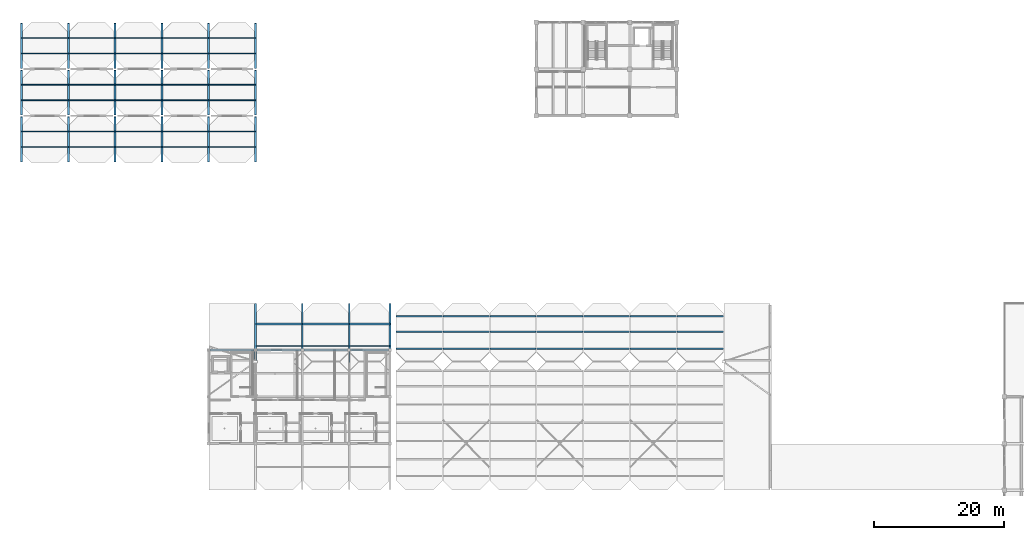
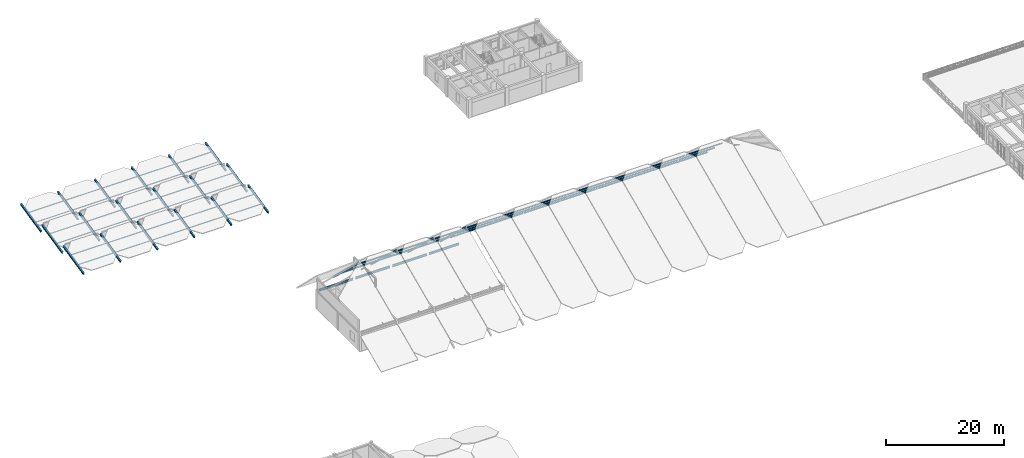
# One storey, part 6 of 54: 79 members, 4 beams.
"""IFC4 building model written with IfcOpenShell, lengths in metres."""

import ifcopenshell
import ifcopenshell.guid

model = None  # the IFC model being written
_history = None  # IfcOwnerHistory: only IFC2X3 demands one
_inside = {}  # id of a spatial element -> (the spatial element, [elements in it])
_under = {}  # id of a project, library or spatial element -> (it, [spatial elements below it])
_declared = {}  # id of a project -> (the project, [libraries it declares])
_typed = {}  # id of a type object -> (the type object, [elements of that type])
_made_of = {}  # id of a material, layer set ... -> (it, [elements and type objects made of it])


def new_model(schema):
    """Start an empty IFC model of exactly this schema.

    Asked for "IFC4X3", IfcOpenShell would pick the latest addendum, in which some entities
    have other attributes; the version numbers below select the first issue.
    IFC2X3 requires an IfcOwnerHistory on every rooted entity: one is made here for all.
    """
    global model, _history
    if schema == "IFC4X3":
        model = ifcopenshell.file(schema_version=(4, 3, 0, 0))
    else:
        model = ifcopenshell.file(schema=schema)
    _inside.clear()
    _under.clear()
    _declared.clear()
    _typed.clear()
    _made_of.clear()
    _history = None
    if model.schema == "IFC2X3":
        org = make("IfcOrganization", Name="unknown")
        user = make(
            "IfcPersonAndOrganization",
            ThePerson=make("IfcPerson", FamilyName="unknown"),
            TheOrganization=org,
        )
        app = make(
            "IfcApplication",
            ApplicationDeveloper=org,
            Version="unknown",
            ApplicationFullName="unknown",
            ApplicationIdentifier="unknown",
        )
        _history = make(
            "IfcOwnerHistory",
            OwningUser=user,
            OwningApplication=app,
            ChangeAction="ADDED",
            CreationDate=0,
        )
    return model


def make(cls, **values):
    """One entity of the class cls with the attributes given. An attribute that is None is left unset."""
    return model.create_entity(
        cls, **{name: value for name, value in values.items() if value is not None}
    )


def rooted(cls, **values):
    """An entity with a GlobalId (a new one), such as an element, a storey or a relation."""
    return make(cls, GlobalId=ifcopenshell.guid.new(), OwnerHistory=_history, **values)


def si_unit(unit_type, name, prefix=None):
    """IfcSIUnit, for example si_unit("LENGTHUNIT", "METRE", prefix="MILLI")."""
    return make("IfcSIUnit", UnitType=unit_type, Prefix=prefix, Name=name)


def assignment(units):
    """IfcUnitAssignment: the units of a project."""
    return None if units is None else make("IfcUnitAssignment", Units=units)


def point(xyz):
    """IfcCartesianPoint."""
    return None if xyz is None else make("IfcCartesianPoint", Coordinates=xyz)


def direction(xyz):
    """IfcDirection."""
    return None if xyz is None else make("IfcDirection", DirectionRatios=xyz)


def frame(location, z_axis=None, x_axis=None):
    """IfcAxis2Placement3D, a coordinate frame: its origin and axes. An axis left out is left unset."""
    return make(
        "IfcAxis2Placement3D",
        Location=point(location),
        Axis=direction(z_axis),
        RefDirection=direction(x_axis),
    )


def frame_2d(location, x_axis=None):
    """IfcAxis2Placement2D, a coordinate frame in the plane: its origin and x axis."""
    return make(
        "IfcAxis2Placement2D", Location=point(location), RefDirection=direction(x_axis)
    )


def origin():
    """The frame at (0, 0, 0) with its axes left unset."""
    return frame((0.0, 0.0, 0.0))


def origin_2d():
    """The frame at (0, 0) in the plane with its x axis left unset."""
    return frame_2d((0.0, 0.0))


def place(relative_to, where):
    """IfcLocalPlacement: puts the frame where relative to a parent placement (None: the world)."""
    return make(
        "IfcLocalPlacement", PlacementRelTo=relative_to, RelativePlacement=where
    )


def context(
    kind, dimensions, precision=None, world=None, true_north=None, identifier=None
):
    """IfcGeometricRepresentationContext, for example the 3D "Model" context."""
    return make(
        "IfcGeometricRepresentationContext",
        ContextIdentifier=identifier,
        ContextType=kind,
        CoordinateSpaceDimension=dimensions,
        Precision=precision,
        WorldCoordinateSystem=world,
        TrueNorth=true_north,
    )


def subcontext(parent, identifier, kind, view, scale=None):
    """IfcGeometricRepresentationSubContext, for example "Body" below "Model"."""
    return make(
        "IfcGeometricRepresentationSubContext",
        ContextIdentifier=identifier,
        ContextType=kind,
        ParentContext=parent,
        TargetScale=scale,
        TargetView=view,
    )


def project(units=None, contexts=None):
    """IfcProject with its units and contexts."""
    return rooted(
        "IfcProject",
        Name="project",
        RepresentationContexts=contexts,
        UnitsInContext=assignment(units),
    )


def spatial(cls, under=None, at=None, **own):
    """A site, building, storey or space (cls), placed at a placement, below another one or the project."""
    s = rooted(cls, ObjectPlacement=at, **own)
    if under is not None:
        _under.setdefault(under.id(), (under, []))[1].append(s)
    return s


def profile(cls, at=None, kind="AREA", **sizes):
    """A parametric profile (cls). Its sizes go by their IFC names, for example OverallWidth=200.0."""
    return make(cls, ProfileType=kind, Position=at, **sizes)


def hollow_rectangle(**sizes):
    """IfcRectangleHollowProfileDef."""
    return profile("IfcRectangleHollowProfileDef", **sizes)


def i_section(**sizes):
    """IfcIShapeProfileDef."""
    return profile("IfcIShapeProfileDef", **sizes)


def extrude(swept, where, along, depth):
    """IfcExtrudedAreaSolid: the profile swept, set in the frame where, extruded along a direction by depth."""
    return make(
        "IfcExtrudedAreaSolid",
        SweptArea=swept,
        Position=where,
        ExtrudedDirection=direction(along),
        Depth=depth,
    )


def shape(context_of_items, identifier, shape_type, items):
    """IfcShapeRepresentation: the items that make up one representation, for example the "Body"."""
    return make(
        "IfcShapeRepresentation",
        ContextOfItems=context_of_items,
        RepresentationIdentifier=identifier,
        RepresentationType=shape_type,
        Items=items,
    )


def material(Name=None, Category=None):
    """IfcMaterial."""
    return make("IfcMaterial", Name=Name, Category=Category)


def material_profile(
    of_material, cross_section, Name=None, Category=None, Priority=None
):
    """IfcMaterialProfile: a cross section and its material."""
    return make(
        "IfcMaterialProfile",
        Name=Name,
        Material=of_material,
        Profile=cross_section,
        Priority=Priority,
        Category=Category,
    )


def profile_set(profiles, Name=None, composite=None):
    """IfcMaterialProfileSet."""
    return make(
        "IfcMaterialProfileSet",
        Name=Name,
        MaterialProfiles=profiles,
        CompositeProfile=composite,
    )


def made_of(thing, what):
    """Note that an element or type object is made of a material, layer set ...; save() writes the relation."""
    if what is not None:
        _made_of.setdefault(what.id(), (what, []))[1].append(thing)
    return thing


def type_object(cls, material=None, **own):
    """A type object (cls), such as IfcWallType, which elements share."""
    return made_of(rooted(cls, **own), material)


def element(
    cls,
    number,
    at=None,
    inside=None,
    cuts=None,
    type_object=None,
    material=None,
    context=None,
    identifier="Body",
    shape_type=None,
    held_by="IfcProductDefinitionShape",
    body=None,
    shapes=None,
    **own,
):
    """One element of the class cls, such as IfcWall. Its Tag is "e" and its number.

    at: its placement. inside: the storey or other place that contains it. cuts: it is an
    opening in that element (IfcRelVoidsElement). A single representation is given by context,
    identifier, shape_type and body (its items); several are given by shapes. held_by: the class
    of the entity that holds the representations. save() writes the other relations.
    """
    e = rooted(cls, Tag="e%d" % number, ObjectPlacement=at, **own)
    if body is not None:
        shapes = [shape(context, identifier, shape_type, body)]
    if shapes is not None:
        e.Representation = make(held_by, Representations=shapes)
    if inside is not None:
        _inside.setdefault(inside.id(), (inside, []))[1].append(e)
    if cuts is not None:
        rooted(
            "IfcRelVoidsElement", RelatingBuildingElement=cuts, RelatedOpeningElement=e
        )
    if type_object is not None:
        _typed.setdefault(type_object.id(), (type_object, []))[1].append(e)
    return made_of(e, material)


def aggregate(whole, parts):
    """IfcRelAggregates: a whole, such as a stair, and the parts it consists of."""
    return rooted("IfcRelAggregates", RelatingObject=whole, RelatedObjects=parts)


def save(model, path):
    """Write the relations noted so far, then the file.

    IfcRelAggregates (storeys below a building ...), IfcRelContainedInSpatialStructure (elements
    in a storey), IfcRelDefinesByType, IfcRelAssociatesMaterial and IfcRelDeclares: one each for
    every whole, place, type object, material and project.
    """
    for whole, parts in _under.values():
        aggregate(whole, parts)
    for where, things in _inside.values():
        rooted(
            "IfcRelContainedInSpatialStructure",
            RelatedElements=things,
            RelatingStructure=where,
        )
    for kind, things in _typed.values():
        rooted("IfcRelDefinesByType", RelatedObjects=things, RelatingType=kind)
    for what, things in _made_of.values():
        rooted("IfcRelAssociatesMaterial", RelatedObjects=things, RelatingMaterial=what)
    for by, libraries in _declared.values():
        rooted("IfcRelDeclares", RelatingContext=by, RelatedDefinitions=libraries)
    model.write(path)


model = new_model("IFC4")

# Units and contexts
model_context = context("Model", 3, precision=1e-05, world=origin(), true_north=direction((0.0, 1.0)))
body_context = subcontext(model_context, "Body", "Model", "MODEL_VIEW")
ifc_project = project(units=[si_unit("LENGTHUNIT", "METRE"), si_unit("AREAUNIT", "SQUARE_METRE"), si_unit("VOLUMEUNIT", "CUBIC_METRE"), si_unit("PLANEANGLEUNIT", "RADIAN"), si_unit("MASSUNIT", "GRAM", prefix="KILO")], contexts=[model_context])

# Site, building, storey
site_placement = place(None, origin())
site = spatial("IfcSite", under=ifc_project, at=site_placement, CompositionType="ELEMENT")
building_placement = place(site_placement, origin())
building = spatial("IfcBuilding", under=site, at=building_placement, Name="Koriwan Promenade Central Fire Station", CompositionType="ELEMENT")
storey_placement = place(building_placement, frame((0.0, 0.0, 9.60009765625)))
storey = spatial("IfcBuildingStorey", under=building, at=storey_placement, Name="L02", CompositionType="ELEMENT", Elevation=9.60009765625)

# Members
ifc_material_1 = material(Name="Steel ASTM A992 Grade 50", Category="steel")
ifc_material_profile_1 = material_profile(ifc_material_1, i_section(OverallWidth=0.304931640625, OverallDepth=0.30810546875, WebThickness=0.010009765625, FlangeThickness=0.015380859375, FilletRadius=0.014892578125, at=origin_2d()), Name="W310x97")
ifc_profile_set_1 = profile_set([ifc_material_profile_1], Name="Steel ASTM A992 Grade 50")
member_type_1 = type_object("IfcMemberType", Name="Member_CHORD_W310x97", PredefinedType="CHORD", material=ifc_profile_set_1)
member_1_placement = place(storey_placement, frame((0.0, 93.75, -0.320068359375), z_axis=(0.0, 0.975985126009, 0.217837172701), x_axis=(-1.0, 0.0, 0.0)))
element("IfcMember", 1, at=member_1_placement, inside=storey, type_object=member_type_1, Name="V6 sawtooth rafter 0-1", PredefinedType="CHORD", context=body_context, shape_type="SweptSolid", body=[
    extrude(i_section(OverallWidth=0.304931640625, OverallDepth=0.30810546875, WebThickness=0.010009765625, FlangeThickness=0.015380859375, FilletRadius=0.014892578125, at=origin_2d()), origin(), (0.0, 0.0, 1.0), 7.069580078125),
])
for number, where, z_axis, x_axis, name in (
    (2, (0.0, 100.949951171875, -0.320068359375), (0.0, 0.975986764644, 0.217829830923), (-1.0, 0.0, 0.0), "V6 sawtooth rafter 0-2"),
    (3, (0.0, 108.14990234375, -0.320068359375), (0.0, 0.975986764644, 0.217829830923), (-1.0, 0.0, 0.0), "V6 sawtooth rafter 0-3"),
):
    element("IfcMember", number, at=place(storey_placement, frame(where, z_axis=z_axis, x_axis=x_axis)), inside=storey, type_object=member_type_1, Name=name, PredefinedType="CHORD", context=body_context, shape_type="SweptSolid", body=[
        extrude(i_section(OverallWidth=0.304931640625, OverallDepth=0.30810546875, WebThickness=0.010009765625, FlangeThickness=0.015380859375, FilletRadius=0.014892578125, at=origin_2d()), origin(), (0.0, 0.0, 1.0), 7.06982421875),
    ])
member_2_placement = place(storey_placement, frame((7.199951171875, 93.75, -0.320068359375), z_axis=(0.0, 0.975985126009, 0.217837172701), x_axis=(-1.0, 0.0, 0.0)))
element("IfcMember", 4, at=member_2_placement, inside=storey, type_object=member_type_1, Name="V6 sawtooth rafter 1-1", PredefinedType="CHORD", context=body_context, shape_type="SweptSolid", body=[
    extrude(i_section(OverallWidth=0.304931640625, OverallDepth=0.30810546875, WebThickness=0.010009765625, FlangeThickness=0.015380859375, FilletRadius=0.014892578125, at=origin_2d()), origin(), (0.0, 0.0, 1.0), 7.069580078125),
])
for number, where, z_axis, x_axis, name in (
    (5, (7.199951171875, 100.949951171875, -0.320068359375), (0.0, 0.975986764644, 0.217829830923), (-1.0, 0.0, 0.0), "V6 sawtooth rafter 1-2"),
    (6, (7.199951171875, 108.14990234375, -0.320068359375), (0.0, 0.975986764644, 0.217829830923), (-1.0, 0.0, 0.0), "V6 sawtooth rafter 1-3"),
):
    element("IfcMember", number, at=place(storey_placement, frame(where, z_axis=z_axis, x_axis=x_axis)), inside=storey, type_object=member_type_1, Name=name, PredefinedType="CHORD", context=body_context, shape_type="SweptSolid", body=[
        extrude(i_section(OverallWidth=0.304931640625, OverallDepth=0.30810546875, WebThickness=0.010009765625, FlangeThickness=0.015380859375, FilletRadius=0.014892578125, at=origin_2d()), origin(), (0.0, 0.0, 1.0), 7.06982421875),
    ])
member_3_placement = place(storey_placement, frame((14.39990234375, 93.75, -0.320068359375), z_axis=(0.0, 0.975985126009, 0.217837172701), x_axis=(-1.0, 0.0, 0.0)))
element("IfcMember", 7, at=member_3_placement, inside=storey, type_object=member_type_1, Name="V6 sawtooth rafter 2-1", PredefinedType="CHORD", context=body_context, shape_type="SweptSolid", body=[
    extrude(i_section(OverallWidth=0.304931640625, OverallDepth=0.30810546875, WebThickness=0.010009765625, FlangeThickness=0.015380859375, FilletRadius=0.014892578125, at=origin_2d()), origin(), (0.0, 0.0, 1.0), 7.069580078125),
])
for number, where, z_axis, x_axis, name in (
    (8, (14.39990234375, 100.949951171875, -0.320068359375), (0.0, 0.975986764644, 0.217829830923), (-1.0, 0.0, 0.0), "V6 sawtooth rafter 2-2"),
    (9, (14.39990234375, 108.14990234375, -0.320068359375), (0.0, 0.975986764644, 0.217829830923), (-1.0, 0.0, 0.0), "V6 sawtooth rafter 2-3"),
):
    element("IfcMember", number, at=place(storey_placement, frame(where, z_axis=z_axis, x_axis=x_axis)), inside=storey, type_object=member_type_1, Name=name, PredefinedType="CHORD", context=body_context, shape_type="SweptSolid", body=[
        extrude(i_section(OverallWidth=0.304931640625, OverallDepth=0.30810546875, WebThickness=0.010009765625, FlangeThickness=0.015380859375, FilletRadius=0.014892578125, at=origin_2d()), origin(), (0.0, 0.0, 1.0), 7.06982421875),
    ])
member_4_placement = place(storey_placement, frame((21.60009765625, 93.75, -0.320068359375), z_axis=(0.0, 0.975985126009, 0.217837172701), x_axis=(-1.0, 0.0, 0.0)))
element("IfcMember", 10, at=member_4_placement, inside=storey, type_object=member_type_1, Name="V6 sawtooth rafter 3-1", PredefinedType="CHORD", context=body_context, shape_type="SweptSolid", body=[
    extrude(i_section(OverallWidth=0.304931640625, OverallDepth=0.30810546875, WebThickness=0.010009765625, FlangeThickness=0.015380859375, FilletRadius=0.014892578125, at=origin_2d()), origin(), (0.0, 0.0, 1.0), 7.069580078125),
])
for number, where, z_axis, x_axis, name in (
    (11, (21.60009765625, 100.949951171875, -0.320068359375), (0.0, 0.975986764644, 0.217829830923), (-1.0, 0.0, 0.0), "V6 sawtooth rafter 3-2"),
    (12, (21.60009765625, 108.14990234375, -0.320068359375), (0.0, 0.975986764644, 0.217829830923), (-1.0, 0.0, 0.0), "V6 sawtooth rafter 3-3"),
):
    element("IfcMember", number, at=place(storey_placement, frame(where, z_axis=z_axis, x_axis=x_axis)), inside=storey, type_object=member_type_1, Name=name, PredefinedType="CHORD", context=body_context, shape_type="SweptSolid", body=[
        extrude(i_section(OverallWidth=0.304931640625, OverallDepth=0.30810546875, WebThickness=0.010009765625, FlangeThickness=0.015380859375, FilletRadius=0.014892578125, at=origin_2d()), origin(), (0.0, 0.0, 1.0), 7.06982421875),
    ])
member_5_placement = place(storey_placement, frame((28.800048828125, 93.75, -0.320068359375), z_axis=(0.0, 0.975985126009, 0.217837172701), x_axis=(-1.0, 0.0, 0.0)))
element("IfcMember", 13, at=member_5_placement, inside=storey, type_object=member_type_1, Name="V6 sawtooth rafter 4-1", PredefinedType="CHORD", context=body_context, shape_type="SweptSolid", body=[
    extrude(i_section(OverallWidth=0.304931640625, OverallDepth=0.30810546875, WebThickness=0.010009765625, FlangeThickness=0.015380859375, FilletRadius=0.014892578125, at=origin_2d()), origin(), (0.0, 0.0, 1.0), 7.069580078125),
])
for number, where, z_axis, x_axis, name in (
    (14, (28.800048828125, 100.949951171875, -0.320068359375), (0.0, 0.975986764644, 0.217829830923), (-1.0, 0.0, 0.0), "V6 sawtooth rafter 4-2"),
    (15, (28.800048828125, 108.14990234375, -0.320068359375), (0.0, 0.975986764644, 0.217829830923), (-1.0, 0.0, 0.0), "V6 sawtooth rafter 4-3"),
):
    element("IfcMember", number, at=place(storey_placement, frame(where, z_axis=z_axis, x_axis=x_axis)), inside=storey, type_object=member_type_1, Name=name, PredefinedType="CHORD", context=body_context, shape_type="SweptSolid", body=[
        extrude(i_section(OverallWidth=0.304931640625, OverallDepth=0.30810546875, WebThickness=0.010009765625, FlangeThickness=0.015380859375, FilletRadius=0.014892578125, at=origin_2d()), origin(), (0.0, 0.0, 1.0), 7.06982421875),
    ])
member_6_placement = place(storey_placement, frame((36.0, 93.75, -0.320068359375), z_axis=(0.0, 0.975985126009, 0.217837172701), x_axis=(-1.0, 0.0, 0.0)))
element("IfcMember", 16, at=member_6_placement, inside=storey, type_object=member_type_1, Name="V6 sawtooth rafter 5-1", PredefinedType="CHORD", context=body_context, shape_type="SweptSolid", body=[
    extrude(i_section(OverallWidth=0.304931640625, OverallDepth=0.30810546875, WebThickness=0.010009765625, FlangeThickness=0.015380859375, FilletRadius=0.014892578125, at=origin_2d()), origin(), (0.0, 0.0, 1.0), 7.069580078125),
])
for number, where, z_axis, x_axis, name in (
    (17, (36.0, 100.949951171875, -0.320068359375), (0.0, 0.975986764644, 0.217829830923), (-1.0, 0.0, 0.0), "V6 sawtooth rafter 5-2"),
    (18, (36.0, 108.14990234375, -0.320068359375), (0.0, 0.975986764644, 0.217829830923), (-1.0, 0.0, 0.0), "V6 sawtooth rafter 5-3"),
):
    element("IfcMember", number, at=place(storey_placement, frame(where, z_axis=z_axis, x_axis=x_axis)), inside=storey, type_object=member_type_1, Name=name, PredefinedType="CHORD", context=body_context, shape_type="SweptSolid", body=[
        extrude(i_section(OverallWidth=0.304931640625, OverallDepth=0.30810546875, WebThickness=0.010009765625, FlangeThickness=0.015380859375, FilletRadius=0.014892578125, at=origin_2d()), origin(), (0.0, 0.0, 1.0), 7.06982421875),
    ])
ifc_material_profile_2 = material_profile(ifc_material_1, i_section(OverallWidth=0.257080078125, OverallDepth=0.363037109375, WebThickness=0.012939453125, FlangeThickness=0.021728515625, FilletRadius=0.014892578125, at=origin_2d()), Name="W360x122")
ifc_profile_set_2 = profile_set([ifc_material_profile_2], Name="Steel ASTM A992 Grade 50")
member_type_2 = type_object("IfcMemberType", Name="Member_CHORD_W360x122", PredefinedType="CHORD", material=ifc_profile_set_2)
for number, where, z_axis, x_axis, name in (
    (19, (36.0, 63.0, 8.079833984375), (0.0, 0.728346835716, -0.685208644795), (-1.0, 0.0, 0.0), "V4 roof north rafter 1"),
    (20, (43.199951171875, 63.0, 8.079833984375), (0.0, 0.728346835716, -0.685208644795), (-1.0, 0.0, 0.0), "V4 roof north rafter 2"),
    (21, (50.39990234375, 63.0, 8.079833984375), (0.0, 0.728346835716, -0.685208644795), (-1.0, 0.0, 0.0), "V4 roof north rafter 3"),
    (22, (56.699951171875, 63.0, 8.079833984375), (0.0, 0.728346835716, -0.685208644795), (-1.0, 0.0, 0.0), "V4 roof north rafter 4"),
):
    element("IfcMember", number, at=place(storey_placement, frame(where, z_axis=z_axis, x_axis=x_axis)), inside=storey, type_object=member_type_2, Name=name, PredefinedType="CHORD", context=body_context, shape_type="SweptSolid", body=[
        extrude(i_section(OverallWidth=0.257080078125, OverallDepth=0.363037109375, WebThickness=0.012939453125, FlangeThickness=0.021728515625, FilletRadius=0.014892578125, at=origin_2d()), origin(), (0.0, 0.0, 1.0), 12.0546875),
    ])
ifc_material_2 = material(Name="Steel ASTM A500 Grade C", Category="steel")
ifc_material_profile_3 = material_profile(ifc_material_2, hollow_rectangle(XDim=0.10009765625, YDim=0.199951171875, WallThickness=0.008056640625, InnerFilletRadius=0.008056640625, OuterFilletRadius=0.01611328125, at=origin_2d()), Name="HSS200x100x8")
ifc_profile_set_3 = profile_set([ifc_material_profile_3], Name="Steel ASTM A500 Grade C")
member_type_3 = type_object("IfcMemberType", Name="Member_PURLIN_HSS200x100x8", PredefinedType="PURLIN", material=ifc_profile_set_3)
for number, where, z_axis, x_axis, name in (
    (23, (0.02001953125, 96.0, 0.18212890625), (1.0, 0.0, 0.0), (0.0, 1.0, 0.0), "V6 sawtooth purlin 1-1-1"),
    (24, (0.02001953125, 98.39990234375, 0.732177734375), (1.0, 0.0, 0.0), (0.0, 1.0, 0.0), "V6 sawtooth purlin 1-1-2"),
    (25, (0.02001953125, 103.199951171875, 0.18212890625), (1.0, 0.0, 0.0), (0.0, 1.0, 0.0), "V6 sawtooth purlin 1-2-1"),
    (26, (0.02001953125, 105.60009765625, 0.732177734375), (1.0, 0.0, 0.0), (0.0, 1.0, 0.0), "V6 sawtooth purlin 1-2-2"),
    (27, (0.02001953125, 110.39990234375, 0.18212890625), (1.0, 0.0, 0.0), (0.0, 1.0, 0.0), "V6 sawtooth purlin 1-3-1"),
    (28, (0.02001953125, 112.800048828125, 0.732177734375), (1.0, 0.0, 0.0), (0.0, 1.0, 0.0), "V6 sawtooth purlin 1-3-2"),
    (29, (7.219970703125, 96.0, 0.18212890625), (1.0, 0.0, 0.0), (0.0, 1.0, 0.0), "V6 sawtooth purlin 2-1-1"),
    (30, (7.219970703125, 98.39990234375, 0.732177734375), (1.0, 0.0, 0.0), (0.0, 1.0, 0.0), "V6 sawtooth purlin 2-1-2"),
    (31, (7.219970703125, 103.199951171875, 0.18212890625), (1.0, 0.0, 0.0), (0.0, 1.0, 0.0), "V6 sawtooth purlin 2-2-1"),
    (32, (7.219970703125, 105.60009765625, 0.732177734375), (1.0, 0.0, 0.0), (0.0, 1.0, 0.0), "V6 sawtooth purlin 2-2-2"),
    (33, (7.219970703125, 110.39990234375, 0.18212890625), (1.0, 0.0, 0.0), (0.0, 1.0, 0.0), "V6 sawtooth purlin 2-3-1"),
    (34, (7.219970703125, 112.800048828125, 0.732177734375), (1.0, 0.0, 0.0), (0.0, 1.0, 0.0), "V6 sawtooth purlin 2-3-2"),
):
    element("IfcMember", number, at=place(storey_placement, frame(where, z_axis=z_axis, x_axis=x_axis)), inside=storey, type_object=member_type_3, Name=name, PredefinedType="PURLIN", context=body_context, shape_type="SweptSolid", body=[
        extrude(hollow_rectangle(XDim=0.10009765625, YDim=0.199951171875, WallThickness=0.008056640625, InnerFilletRadius=0.008056640625, OuterFilletRadius=0.01611328125, at=origin_2d()), origin(), (0.0, 0.0, 1.0), 7.159912109375),
    ])
for number, where, z_axis, x_axis, name in (
    (35, (14.419921875, 96.0, 0.18212890625), (1.0, 0.0, 0.0), (0.0, 1.0, 0.0), "V6 sawtooth purlin 3-1-1"),
    (36, (14.419921875, 98.39990234375, 0.732177734375), (1.0, 0.0, 0.0), (0.0, 1.0, 0.0), "V6 sawtooth purlin 3-1-2"),
    (37, (14.419921875, 103.199951171875, 0.18212890625), (1.0, 0.0, 0.0), (0.0, 1.0, 0.0), "V6 sawtooth purlin 3-2-1"),
    (38, (14.419921875, 105.60009765625, 0.732177734375), (1.0, 0.0, 0.0), (0.0, 1.0, 0.0), "V6 sawtooth purlin 3-2-2"),
    (39, (14.419921875, 110.39990234375, 0.18212890625), (1.0, 0.0, 0.0), (0.0, 1.0, 0.0), "V6 sawtooth purlin 3-3-1"),
    (40, (14.419921875, 112.800048828125, 0.732177734375), (1.0, 0.0, 0.0), (0.0, 1.0, 0.0), "V6 sawtooth purlin 3-3-2"),
):
    element("IfcMember", number, at=place(storey_placement, frame(where, z_axis=z_axis, x_axis=x_axis)), inside=storey, type_object=member_type_3, Name=name, PredefinedType="PURLIN", context=body_context, shape_type="SweptSolid", body=[
        extrude(hollow_rectangle(XDim=0.10009765625, YDim=0.199951171875, WallThickness=0.008056640625, InnerFilletRadius=0.008056640625, OuterFilletRadius=0.01611328125, at=origin_2d()), origin(), (0.0, 0.0, 1.0), 7.16015625),
    ])
for number, where, z_axis, x_axis, name in (
    (41, (21.6201171875, 96.0, 0.18212890625), (1.0, 0.0, 0.0), (0.0, 1.0, 0.0), "V6 sawtooth purlin 4-1-1"),
    (42, (21.6201171875, 98.39990234375, 0.732177734375), (1.0, 0.0, 0.0), (0.0, 1.0, 0.0), "V6 sawtooth purlin 4-1-2"),
    (43, (21.6201171875, 103.199951171875, 0.18212890625), (1.0, 0.0, 0.0), (0.0, 1.0, 0.0), "V6 sawtooth purlin 4-2-1"),
    (44, (21.6201171875, 105.60009765625, 0.732177734375), (1.0, 0.0, 0.0), (0.0, 1.0, 0.0), "V6 sawtooth purlin 4-2-2"),
    (45, (21.6201171875, 110.39990234375, 0.18212890625), (1.0, 0.0, 0.0), (0.0, 1.0, 0.0), "V6 sawtooth purlin 4-3-1"),
    (46, (21.6201171875, 112.800048828125, 0.732177734375), (1.0, 0.0, 0.0), (0.0, 1.0, 0.0), "V6 sawtooth purlin 4-3-2"),
    (47, (28.820068359375, 96.0, 0.18212890625), (1.0, 0.0, 0.0), (0.0, 1.0, 0.0), "V6 sawtooth purlin 5-1-1"),
    (48, (28.820068359375, 98.39990234375, 0.732177734375), (1.0, 0.0, 0.0), (0.0, 1.0, 0.0), "V6 sawtooth purlin 5-1-2"),
    (49, (28.820068359375, 103.199951171875, 0.18212890625), (1.0, 0.0, 0.0), (0.0, 1.0, 0.0), "V6 sawtooth purlin 5-2-1"),
    (50, (28.820068359375, 105.60009765625, 0.732177734375), (1.0, 0.0, 0.0), (0.0, 1.0, 0.0), "V6 sawtooth purlin 5-2-2"),
    (51, (28.820068359375, 110.39990234375, 0.18212890625), (1.0, 0.0, 0.0), (0.0, 1.0, 0.0), "V6 sawtooth purlin 5-3-1"),
    (52, (28.820068359375, 112.800048828125, 0.732177734375), (1.0, 0.0, 0.0), (0.0, 1.0, 0.0), "V6 sawtooth purlin 5-3-2"),
):
    element("IfcMember", number, at=place(storey_placement, frame(where, z_axis=z_axis, x_axis=x_axis)), inside=storey, type_object=member_type_3, Name=name, PredefinedType="PURLIN", context=body_context, shape_type="SweptSolid", body=[
        extrude(hollow_rectangle(XDim=0.10009765625, YDim=0.199951171875, WallThickness=0.008056640625, InnerFilletRadius=0.008056640625, OuterFilletRadius=0.01611328125, at=origin_2d()), origin(), (0.0, 0.0, 1.0), 7.159912109375),
    ])
ifc_material_profile_4 = material_profile(ifc_material_1, i_section(OverallWidth=0.202880859375, OverallDepth=0.202880859375, WebThickness=0.007080078125, FlangeThickness=0.010986328125, FilletRadius=0.010009765625, at=origin_2d()), Name="W200x46")
ifc_profile_set_4 = profile_set([ifc_material_profile_4], Name="Steel ASTM A992 Grade 50")
member_type_4 = type_object("IfcMemberType", Name="Member_PURLIN_W200x46", PredefinedType="PURLIN", material=ifc_profile_set_4)
member_7_placement = place(storey_placement, frame((57.639892578125, 67.60009765625, 3.7666015625), z_axis=(1.0, 0.0, 0.0), x_axis=(0.0, 1.0, 0.0)))
element("IfcMember", 53, at=member_7_placement, inside=storey, type_object=member_type_4, Name="V1 roof purlin bay 1-9", PredefinedType="PURLIN", context=body_context, shape_type="SweptSolid", body=[
    extrude(i_section(OverallWidth=0.202880859375, OverallDepth=0.202880859375, WebThickness=0.007080078125, FlangeThickness=0.010986328125, FilletRadius=0.010009765625, at=origin_2d()), origin(), (0.0, 0.0, 1.0), 7.1201171875),
])
for number, where, z_axis, x_axis, name in (
    (54, (64.840087890625, 67.60009765625, 3.7666015625), (1.0, 0.0, 0.0), (0.0, 1.0, 0.0), "V1 roof purlin bay 2-9"),
    (55, (72.0400390625, 67.60009765625, 3.7666015625), (1.0, 0.0, 0.0), (0.0, 1.0, 0.0), "V1 roof purlin bay 3-9"),
):
    element("IfcMember", number, at=place(storey_placement, frame(where, z_axis=z_axis, x_axis=x_axis)), inside=storey, type_object=member_type_4, Name=name, PredefinedType="PURLIN", context=body_context, shape_type="SweptSolid", body=[
        extrude(i_section(OverallWidth=0.202880859375, OverallDepth=0.202880859375, WebThickness=0.007080078125, FlangeThickness=0.010986328125, FilletRadius=0.010009765625, at=origin_2d()), origin(), (0.0, 0.0, 1.0), 7.119873046875),
    ])
for number, where, z_axis, x_axis, name in (
    (56, (79.239990234375, 67.60009765625, 3.7666015625), (1.0, 0.0, 0.0), (0.0, 1.0, 0.0), "V1 roof purlin bay 4-9"),
    (57, (86.43994140625, 67.60009765625, 3.7666015625), (1.0, 0.0, 0.0), (0.0, 1.0, 0.0), "V1 roof purlin bay 5-9"),
    (58, (93.639892578125, 67.60009765625, 3.7666015625), (1.0, 0.0, 0.0), (0.0, 1.0, 0.0), "V1 roof purlin bay 6-9"),
):
    element("IfcMember", number, at=place(storey_placement, frame(where, z_axis=z_axis, x_axis=x_axis)), inside=storey, type_object=member_type_4, Name=name, PredefinedType="PURLIN", context=body_context, shape_type="SweptSolid", body=[
        extrude(i_section(OverallWidth=0.202880859375, OverallDepth=0.202880859375, WebThickness=0.007080078125, FlangeThickness=0.010986328125, FilletRadius=0.010009765625, at=origin_2d()), origin(), (0.0, 0.0, 1.0), 7.1201171875),
    ])
member_8_placement = place(storey_placement, frame((100.840087890625, 67.60009765625, 3.7666015625), z_axis=(1.0, 0.0, 0.0), x_axis=(0.0, 1.0, 0.0)))
element("IfcMember", 59, at=member_8_placement, inside=storey, type_object=member_type_4, Name="V1 roof purlin bay 7-9", PredefinedType="PURLIN", context=body_context, shape_type="SweptSolid", body=[
    extrude(i_section(OverallWidth=0.202880859375, OverallDepth=0.202880859375, WebThickness=0.007080078125, FlangeThickness=0.010986328125, FilletRadius=0.010009765625, at=origin_2d()), origin(), (0.0, 0.0, 1.0), 7.119873046875),
])
ifc_material_profile_5 = material_profile(ifc_material_1, i_section(OverallWidth=0.205078125, OverallDepth=0.2099609375, WebThickness=0.009033203125, FlangeThickness=0.01416015625, FilletRadius=0.010009765625, at=origin_2d()), Name="W200x59")
ifc_profile_set_5 = profile_set([ifc_material_profile_5], Name="Steel ASTM A992 Grade 50")
member_type_5 = type_object("IfcMemberType", Name="Member_PURLIN_W200x59", PredefinedType="PURLIN", material=ifc_profile_set_5)
for number, where, z_axis, x_axis, name in (
    (60, (57.639892578125, 65.0, 6.308837890625), (1.0, 0.0, 0.0), (0.0, 1.0, 0.0), "V1 roof purlin bay 1-8"),
    (61, (57.639892578125, 70.0, 1.419921875), (1.0, 0.0, 0.0), (0.0, 1.0, 0.0), "V1 roof purlin bay 1-10"),
):
    element("IfcMember", number, at=place(storey_placement, frame(where, z_axis=z_axis, x_axis=x_axis)), inside=storey, type_object=member_type_5, Name=name, PredefinedType="PURLIN", context=body_context, shape_type="SweptSolid", body=[
        extrude(i_section(OverallWidth=0.205078125, OverallDepth=0.2099609375, WebThickness=0.009033203125, FlangeThickness=0.01416015625, FilletRadius=0.010009765625, at=origin_2d()), origin(), (0.0, 0.0, 1.0), 7.1201171875),
    ])
for number, where, z_axis, x_axis, name in (
    (62, (64.840087890625, 65.0, 6.308837890625), (1.0, 0.0, 0.0), (0.0, 1.0, 0.0), "V1 roof purlin bay 2-8"),
    (63, (64.840087890625, 70.0, 1.419921875), (1.0, 0.0, 0.0), (0.0, 1.0, 0.0), "V1 roof purlin bay 2-10"),
    (64, (72.0400390625, 65.0, 6.308837890625), (1.0, 0.0, 0.0), (0.0, 1.0, 0.0), "V1 roof purlin bay 3-8"),
    (65, (72.0400390625, 70.0, 1.419921875), (1.0, 0.0, 0.0), (0.0, 1.0, 0.0), "V1 roof purlin bay 3-10"),
):
    element("IfcMember", number, at=place(storey_placement, frame(where, z_axis=z_axis, x_axis=x_axis)), inside=storey, type_object=member_type_5, Name=name, PredefinedType="PURLIN", context=body_context, shape_type="SweptSolid", body=[
        extrude(i_section(OverallWidth=0.205078125, OverallDepth=0.2099609375, WebThickness=0.009033203125, FlangeThickness=0.01416015625, FilletRadius=0.010009765625, at=origin_2d()), origin(), (0.0, 0.0, 1.0), 7.119873046875),
    ])
for number, where, z_axis, x_axis, name in (
    (66, (79.239990234375, 65.0, 6.308837890625), (1.0, 0.0, 0.0), (0.0, 1.0, 0.0), "V1 roof purlin bay 4-8"),
    (67, (79.239990234375, 70.0, 1.419921875), (1.0, 0.0, 0.0), (0.0, 1.0, 0.0), "V1 roof purlin bay 4-10"),
    (68, (86.43994140625, 65.0, 6.308837890625), (1.0, 0.0, 0.0), (0.0, 1.0, 0.0), "V1 roof purlin bay 5-8"),
    (69, (86.43994140625, 70.0, 1.419921875), (1.0, 0.0, 0.0), (0.0, 1.0, 0.0), "V1 roof purlin bay 5-10"),
    (70, (93.639892578125, 65.0, 6.308837890625), (1.0, 0.0, 0.0), (0.0, 1.0, 0.0), "V1 roof purlin bay 6-8"),
    (71, (93.639892578125, 70.0, 1.419921875), (1.0, 0.0, 0.0), (0.0, 1.0, 0.0), "V1 roof purlin bay 6-10"),
):
    element("IfcMember", number, at=place(storey_placement, frame(where, z_axis=z_axis, x_axis=x_axis)), inside=storey, type_object=member_type_5, Name=name, PredefinedType="PURLIN", context=body_context, shape_type="SweptSolid", body=[
        extrude(i_section(OverallWidth=0.205078125, OverallDepth=0.2099609375, WebThickness=0.009033203125, FlangeThickness=0.01416015625, FilletRadius=0.010009765625, at=origin_2d()), origin(), (0.0, 0.0, 1.0), 7.1201171875),
    ])
for number, where, z_axis, x_axis, name in (
    (72, (100.840087890625, 65.0, 6.308837890625), (1.0, 0.0, 0.0), (0.0, 1.0, 0.0), "V1 roof purlin bay 7-8"),
    (73, (100.840087890625, 70.0, 1.419921875), (1.0, 0.0, 0.0), (0.0, 1.0, 0.0), "V1 roof purlin bay 7-10"),
):
    element("IfcMember", number, at=place(storey_placement, frame(where, z_axis=z_axis, x_axis=x_axis)), inside=storey, type_object=member_type_5, Name=name, PredefinedType="PURLIN", context=body_context, shape_type="SweptSolid", body=[
        extrude(i_section(OverallWidth=0.205078125, OverallDepth=0.2099609375, WebThickness=0.009033203125, FlangeThickness=0.01416015625, FilletRadius=0.010009765625, at=origin_2d()), origin(), (0.0, 0.0, 1.0), 7.119873046875),
    ])
ifc_material_profile_6 = material_profile(ifc_material_1, i_section(OverallWidth=0.202880859375, OverallDepth=0.251953125, WebThickness=0.008056640625, FlangeThickness=0.013427734375, FilletRadius=0.012939453125, at=origin_2d()), Name="W250x58")
ifc_profile_set_6 = profile_set([ifc_material_profile_6], Name="Steel ASTM A992 Grade 50")
member_type_6 = type_object("IfcMemberType", Name="Member_PURLIN_W250x58", PredefinedType="PURLIN", material=ifc_profile_set_6)
member_9_placement = place(storey_placement, frame((36.0400390625, 65.39990234375, 5.90380859375), z_axis=(1.0, 0.0, 0.0), x_axis=(0.0, 1.0, 0.0)))
element("IfcMember", 74, at=member_9_placement, inside=storey, type_object=member_type_6, Name="V4 roof purlin bay 2-5", PredefinedType="PURLIN", context=body_context, shape_type="SweptSolid", body=[
    extrude(i_section(OverallWidth=0.202880859375, OverallDepth=0.251953125, WebThickness=0.008056640625, FlangeThickness=0.013427734375, FilletRadius=0.012939453125, at=origin_2d()), origin(), (0.0, 0.0, 1.0), 7.119873046875),
])
member_10_placement = place(storey_placement, frame((43.239990234375, 65.39990234375, 5.90380859375), z_axis=(1.0, 0.0, 0.0), x_axis=(0.0, 1.0, 0.0)))
element("IfcMember", 75, at=member_10_placement, inside=storey, type_object=member_type_6, Name="V4 roof purlin bay 3-5", PredefinedType="PURLIN", context=body_context, shape_type="SweptSolid", body=[
    extrude(i_section(OverallWidth=0.202880859375, OverallDepth=0.251953125, WebThickness=0.008056640625, FlangeThickness=0.013427734375, FilletRadius=0.012939453125, at=origin_2d()), origin(), (0.0, 0.0, 1.0), 7.1201171875),
])
member_11_placement = place(storey_placement, frame((50.43994140625, 65.39990234375, 5.90380859375), z_axis=(1.0, 0.0, 0.0), x_axis=(0.0, 1.0, 0.0)))
element("IfcMember", 76, at=member_11_placement, inside=storey, type_object=member_type_6, Name="V4 roof purlin bay 4-5", PredefinedType="PURLIN", context=body_context, shape_type="SweptSolid", body=[
    extrude(i_section(OverallWidth=0.202880859375, OverallDepth=0.251953125, WebThickness=0.008056640625, FlangeThickness=0.013427734375, FilletRadius=0.012939453125, at=origin_2d()), origin(), (0.0, 0.0, 1.0), 6.219970703125),
])
ifc_material_profile_7 = material_profile(ifc_material_1, i_section(OverallWidth=0.25390625, OverallDepth=0.2529296875, WebThickness=0.008544921875, FlangeThickness=0.01416015625, FilletRadius=0.012939453125, at=origin_2d()), Name="W250x73")
ifc_profile_set_7 = profile_set([ifc_material_profile_7], Name="Steel ASTM A992 Grade 50")
member_type_7 = type_object("IfcMemberType", Name="Member_PURLIN_W250x73", PredefinedType="PURLIN", material=ifc_profile_set_7)
member_12_placement = place(storey_placement, frame((36.0400390625, 68.800048828125, 2.579345703125), z_axis=(1.0, 0.0, 0.0), x_axis=(0.0, 1.0, 0.0)))
element("IfcMember", 77, at=member_12_placement, inside=storey, type_object=member_type_7, Name="V4 roof purlin bay 2-6", PredefinedType="PURLIN", context=body_context, shape_type="SweptSolid", body=[
    extrude(i_section(OverallWidth=0.25390625, OverallDepth=0.2529296875, WebThickness=0.008544921875, FlangeThickness=0.01416015625, FilletRadius=0.012939453125, at=origin_2d()), origin(), (0.0, 0.0, 1.0), 7.119873046875),
])
member_13_placement = place(storey_placement, frame((43.239990234375, 68.800048828125, 2.579345703125), z_axis=(1.0, 0.0, 0.0), x_axis=(0.0, 1.0, 0.0)))
element("IfcMember", 78, at=member_13_placement, inside=storey, type_object=member_type_7, Name="V4 roof purlin bay 3-6", PredefinedType="PURLIN", context=body_context, shape_type="SweptSolid", body=[
    extrude(i_section(OverallWidth=0.25390625, OverallDepth=0.2529296875, WebThickness=0.008544921875, FlangeThickness=0.01416015625, FilletRadius=0.012939453125, at=origin_2d()), origin(), (0.0, 0.0, 1.0), 7.1201171875),
])
member_14_placement = place(storey_placement, frame((50.43994140625, 68.800048828125, 2.579345703125), z_axis=(1.0, 0.0, 0.0), x_axis=(0.0, 1.0, 0.0)))
element("IfcMember", 79, at=member_14_placement, inside=storey, type_object=member_type_7, Name="V4 roof purlin bay 4-6", PredefinedType="PURLIN", context=body_context, shape_type="SweptSolid", body=[
    extrude(i_section(OverallWidth=0.25390625, OverallDepth=0.2529296875, WebThickness=0.008544921875, FlangeThickness=0.01416015625, FilletRadius=0.012939453125, at=origin_2d()), origin(), (0.0, 0.0, 1.0), 6.219970703125),
])

# Beams
ifc_material_profile_8 = material_profile(ifc_material_1, i_section(OverallWidth=0.260009765625, OverallDepth=0.4150390625, WebThickness=0.010009765625, FlangeThickness=0.016845703125, FilletRadius=0.01611328125, at=origin_2d()), Name="W410x100")
ifc_profile_set_8 = profile_set([ifc_material_profile_8], Name="Steel ASTM A992 Grade 50")
beam_type = type_object("IfcBeamType", Name="SteelBeam_W410x100", PredefinedType="BEAM", material=ifc_profile_set_8)
for number, where, z_axis, x_axis, name in (
    (80, (29.02490234375, 64.800048828125, 3.6923828125), (1.0, 0.0, 0.0), (0.0, 1.0, 0.0), "V4 L02 girder X-466"),
    (81, (36.22509765625, 64.800048828125, 3.6923828125), (1.0, 0.0, 0.0), (0.0, 1.0, 0.0), "V4 L02 girder X-467"),
    (82, (43.425048828125, 64.800048828125, 3.6923828125), (1.0, 0.0, 0.0), (0.0, 1.0, 0.0), "V4 L02 girder X-468"),
):
    element("IfcBeam", number, at=place(storey_placement, frame(where, z_axis=z_axis, x_axis=x_axis)), inside=storey, type_object=beam_type, Name=name, PredefinedType="BEAM", context=body_context, shape_type="SweptSolid", body=[
        extrude(i_section(OverallWidth=0.260009765625, OverallDepth=0.4150390625, WebThickness=0.010009765625, FlangeThickness=0.016845703125, FilletRadius=0.01611328125, at=origin_2d()), origin(), (0.0, 0.0, 1.0), 6.75),
    ])
beam_placement = place(storey_placement, frame((50.625, 64.800048828125, 3.6923828125), z_axis=(1.0, 0.0, 0.0), x_axis=(0.0, 1.0, 0.0)))
element("IfcBeam", 83, at=beam_placement, inside=storey, type_object=beam_type, Name="V4 L02 girder X-469", PredefinedType="BEAM", context=body_context, shape_type="SweptSolid", body=[
    extrude(i_section(OverallWidth=0.260009765625, OverallDepth=0.4150390625, WebThickness=0.010009765625, FlangeThickness=0.016845703125, FilletRadius=0.01611328125, at=origin_2d()), origin(), (0.0, 0.0, 1.0), 5.85009765625),
])

save(model, "model.ifc")
